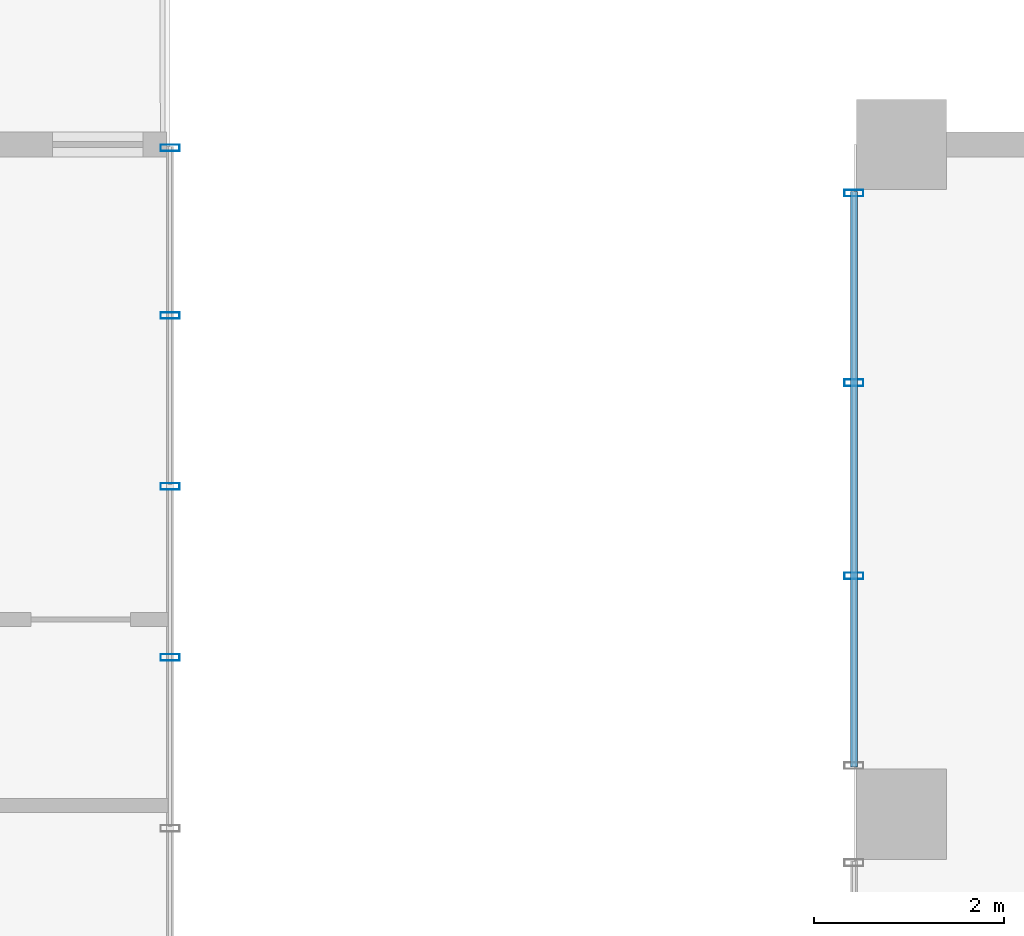
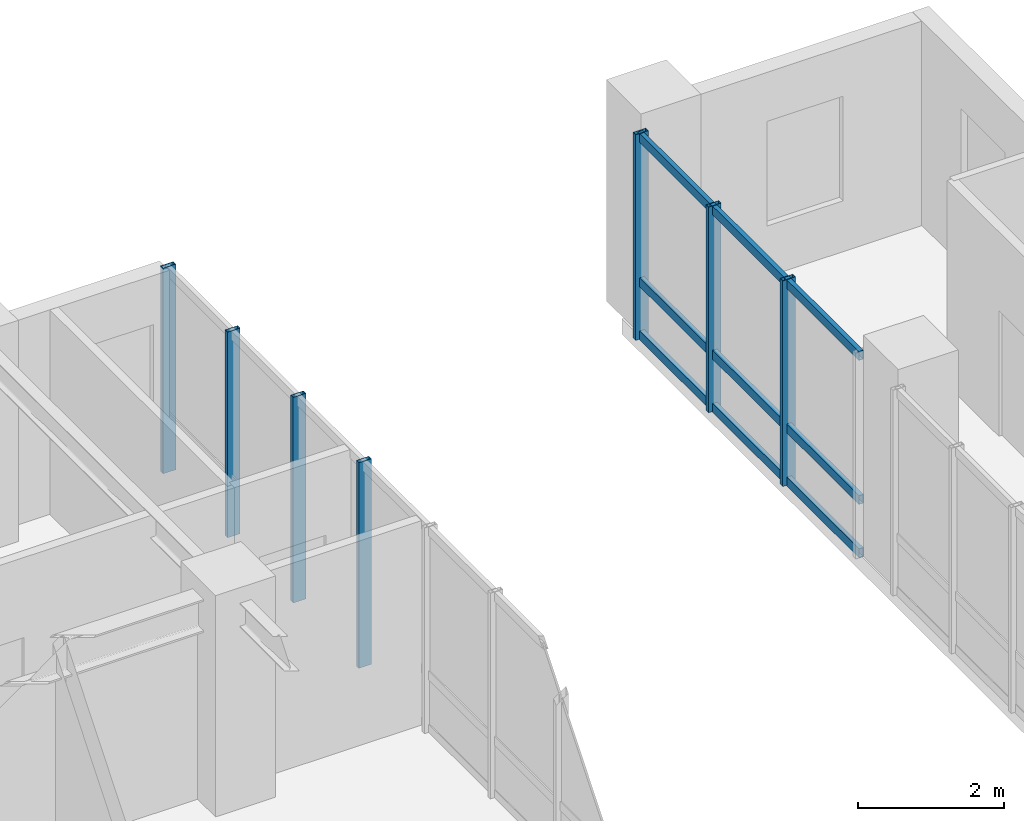
# One storey, part 14 of 24: 10 members, 2 elements without a shape of their own.
"""IFC4 building model written with IfcOpenShell, lengths in metres."""

from ifc_helpers import new_model, si_unit, direction, frame, origin, origin_2d, place, context, subcontext, project, spatial, hollow_rectangle, extrude, source, transform, mapped, material, layer, layer_set, material_profile, profile_set, type_object, element, aggregate, save


model = new_model("IFC4")

# Units and contexts
model_context = context("Model", 3, precision=1e-05, world=origin(), true_north=direction((0.0, 1.0)))
body_context = subcontext(model_context, "Body", "Model", "MODEL_VIEW")
ifc_project = project(units=[si_unit("LENGTHUNIT", "METRE"), si_unit("AREAUNIT", "SQUARE_METRE"), si_unit("VOLUMEUNIT", "CUBIC_METRE"), si_unit("PLANEANGLEUNIT", "RADIAN"), si_unit("MASSUNIT", "GRAM", prefix="KILO")], contexts=[model_context])

# Site, building, storey
site_placement = place(None, origin())
site = spatial("IfcSite", under=ifc_project, at=site_placement, CompositionType="ELEMENT")
building_placement = place(site_placement, origin())
building = spatial("IfcBuilding", under=site, at=building_placement, Name="Kaliganga Portal Commons", CompositionType="ELEMENT")
storey_placement = place(building_placement, frame((0.0, 0.0, 242.5)))
storey = spatial("IfcBuildingStorey", under=building, at=storey_placement, Name="L62", CompositionType="ELEMENT", Elevation=242.5)

# Curtain wall, members
ifc_material_1 = material(Name="Anodized Aluminium and Laminated Low-E Glass", Category="aluminium")
ifc_layer = layer(ifc_material_1, 0.239990234375)
ifc_layer_set = layer_set([ifc_layer], Name="Anodized Aluminium and Laminated Low-E Glass")
curtain_wall_type = type_object("IfcCurtainWallType", Name="CW-SYS-04", PredefinedType="NOTDEFINED", material=ifc_layer_set)
curtain_wall_1_placement = place(storey_placement, origin())
curtain_wall_1 = element("IfcCurtainWall", 1, at=curtain_wall_1_placement, inside=storey, type_object=curtain_wall_type, Name="CW 04 L62 P1E01S1", PredefinedType="NOTDEFINED")
ifc_material_2 = material(Name="Dark Bronze Anodized Aluminium", Category="aluminium")
ifc_material_profile_1 = material_profile(ifc_material_2, hollow_rectangle(XDim=0.070068359375, YDim=0.199951171875, WallThickness=0.00390625, at=origin_2d()), Name="ALU MULL 70x200x4")
ifc_profile_set_1 = profile_set([ifc_material_profile_1], Name="Dark Bronze Anodized Aluminium")
member_type_1 = type_object("IfcMemberType", Name="CW-MUL-220", PredefinedType="MULLION", material=ifc_profile_set_1)
shared_shape_1 = source(origin(), body_context, "Body", "SweptSolid", [
    extrude(hollow_rectangle(XDim=0.070068359375, YDim=0.199951171875, WallThickness=0.00390625, at=origin_2d()), origin(), (0.0, 0.0, 1.0), 3.43994140625),
])
member_1_placement = place(storey_placement, frame((39.10009765625, 37.800048828125, 0.0), z_axis=(0.0, 0.0, 1.0), x_axis=(0.0, 1.0, 0.0)))
member_1 = element("IfcMember", 2, at=member_1_placement, type_object=member_type_1, Name="CW:04:L62:P1E01S1 Mullion 09", PredefinedType="MULLION", context=body_context, shape_type="MappedRepresentation", body=[
    mapped(shared_shape_1, transform((0.0, 0.0, 0.0), x_axis=(1.0, 0.0, 0.0), y_axis=(0.0, 1.0, 0.0), z_axis=(0.0, 0.0, 1.0), scale=1.0)),
])
member_2_placement = place(storey_placement, frame((39.10009765625, 39.60009765625, 0.0), z_axis=(0.0, 0.0, 1.0), x_axis=(0.0, 1.0, 0.0)))
member_2 = element("IfcMember", 3, at=member_2_placement, type_object=member_type_1, Name="CW:04:L62:P1E01S1 Mullion 10", PredefinedType="MULLION", context=body_context, shape_type="MappedRepresentation", body=[
    mapped(shared_shape_1, transform((0.0, 0.0, 0.0), x_axis=(1.0, 0.0, 0.0), y_axis=(0.0, 1.0, 0.0), z_axis=(0.0, 0.0, 1.0), scale=1.0)),
])
member_3_placement = place(storey_placement, frame((39.10009765625, 41.39990234375, 0.0), z_axis=(0.0, 0.0, 1.0), x_axis=(0.0, 1.0, 0.0)))
member_3 = element("IfcMember", 4, at=member_3_placement, type_object=member_type_1, Name="CW:04:L62:P1E01S1 Mullion 11", PredefinedType="MULLION", context=body_context, shape_type="MappedRepresentation", body=[
    mapped(shared_shape_1, transform((0.0, 0.0, 0.0), x_axis=(1.0, 0.0, 0.0), y_axis=(0.0, 1.0, 0.0), z_axis=(0.0, 0.0, 1.0), scale=1.0)),
])
member_4_placement = place(storey_placement, frame((39.10009765625, 43.1650390625, 0.0), z_axis=(0.0, 0.0, 1.0), x_axis=(0.0, 1.0, 0.0)))
member_4 = element("IfcMember", 5, at=member_4_placement, type_object=member_type_1, Name="CW:04:L62:P1E01S1 Mullion 12", PredefinedType="MULLION", context=body_context, shape_type="MappedRepresentation", body=[
    mapped(shared_shape_1, transform((0.0, 0.0, 0.0), x_axis=(1.0, 0.0, 0.0), y_axis=(0.0, 1.0, 0.0), z_axis=(0.0, 0.0, 1.0), scale=1.0)),
])
aggregate(curtain_wall_1, [member_1, member_2, member_3, member_4])

curtain_wall_2_placement = place(storey_placement, origin())
curtain_wall_2 = element("IfcCurtainWall", 6, at=curtain_wall_2_placement, inside=storey, type_object=curtain_wall_type, Name="CW 04 L62 P2E07S1", PredefinedType="NOTDEFINED")
member_5_placement = place(storey_placement, frame((46.300048828125, 42.68896484375, 0.0), z_axis=(0.0, 0.0, 1.0), x_axis=(0.0, -1.0, 0.0)))
member_5 = element("IfcMember", 7, at=member_5_placement, type_object=member_type_1, Name="CW:04:L62:P2E07S1 Mullion 00", PredefinedType="MULLION", context=body_context, shape_type="MappedRepresentation", body=[
    mapped(shared_shape_1, transform((0.0, 0.0, 0.0), x_axis=(1.0, 0.0, 0.0), y_axis=(0.0, 1.0, 0.0), z_axis=(0.0, 0.0, 1.0), scale=1.0)),
])
member_6_placement = place(storey_placement, frame((46.300048828125, 40.69140625, 0.0), z_axis=(0.0, 0.0, 1.0), x_axis=(0.0, -1.0, 0.0)))
member_6 = element("IfcMember", 8, at=member_6_placement, type_object=member_type_1, Name="CW:04:L62:P2E07S1 Mullion 01", PredefinedType="MULLION", context=body_context, shape_type="MappedRepresentation", body=[
    mapped(shared_shape_1, transform((0.0, 0.0, 0.0), x_axis=(1.0, 0.0, 0.0), y_axis=(0.0, 1.0, 0.0), z_axis=(0.0, 0.0, 1.0), scale=1.0)),
])
member_7_placement = place(storey_placement, frame((46.300048828125, 38.65869140625, 0.0), z_axis=(0.0, 0.0, 1.0), x_axis=(0.0, -1.0, 0.0)))
member_7 = element("IfcMember", 9, at=member_7_placement, type_object=member_type_1, Name="CW:04:L62:P2E07S1 Mullion 02", PredefinedType="MULLION", context=body_context, shape_type="MappedRepresentation", body=[
    mapped(shared_shape_1, transform((0.0, 0.0, 0.0), x_axis=(1.0, 0.0, 0.0), y_axis=(0.0, 1.0, 0.0), z_axis=(0.0, 0.0, 1.0), scale=1.0)),
])
ifc_material_profile_2 = material_profile(ifc_material_2, hollow_rectangle(XDim=0.070068359375, YDim=0.14990234375, WallThickness=0.00341796875, at=origin_2d()), Name="ALU TRAN 70x150x3.5")
ifc_profile_set_2 = profile_set([ifc_material_profile_2], Name="Dark Bronze Anodized Aluminium")
member_type_2 = type_object("IfcMemberType", Name="CW-TRN-150", PredefinedType="USERDEFINED", material=ifc_profile_set_2)
shared_shape_2 = source(origin(), body_context, "Body", "SweptSolid", [
    extrude(hollow_rectangle(XDim=0.070068359375, YDim=0.14990234375, WallThickness=0.00341796875, at=origin_2d()), origin(), (0.0, 0.0, 1.0), 6.05810546875),
])
member_8_placement = place(storey_placement, frame((46.300048828125, 42.7041015625, 0.06005859375), z_axis=(0.0, -1.0, 0.0), x_axis=(1.0, 0.0, 0.0)))
member_8 = element("IfcMember", 10, at=member_8_placement, type_object=member_type_2, Name="CW:04:L62:P2E07S1 Transom 1", ObjectType="TRANSOM", PredefinedType="USERDEFINED", context=body_context, shape_type="MappedRepresentation", body=[
    mapped(shared_shape_2, transform((0.0, 0.0, 0.0), x_axis=(1.0, 0.0, 0.0), y_axis=(0.0, 1.0, 0.0), z_axis=(0.0, 0.0, 1.0), scale=1.0)),
])
member_9_placement = place(storey_placement, frame((46.300048828125, 42.7041015625, 0.949951171875), z_axis=(0.0, -1.0, 0.0), x_axis=(1.0, 0.0, 0.0)))
member_9 = element("IfcMember", 11, at=member_9_placement, type_object=member_type_2, Name="CW:04:L62:P2E07S1 Transom 2", ObjectType="TRANSOM", PredefinedType="USERDEFINED", context=body_context, shape_type="MappedRepresentation", body=[
    mapped(shared_shape_2, transform((0.0, 0.0, 0.0), x_axis=(1.0, 0.0, 0.0), y_axis=(0.0, 1.0, 0.0), z_axis=(0.0, 0.0, 1.0), scale=1.0)),
])
member_10_placement = place(storey_placement, frame((46.300048828125, 42.7041015625, 3.360107421875), z_axis=(0.0, -1.0, 0.0), x_axis=(1.0, 0.0, 0.0)))
member_10 = element("IfcMember", 12, at=member_10_placement, type_object=member_type_2, Name="CW:04:L62:P2E07S1 Transom 3", ObjectType="TRANSOM", PredefinedType="USERDEFINED", context=body_context, shape_type="MappedRepresentation", body=[
    mapped(shared_shape_2, transform((0.0, 0.0, 0.0), x_axis=(1.0, 0.0, 0.0), y_axis=(0.0, 1.0, 0.0), z_axis=(0.0, 0.0, 1.0), scale=1.0)),
])
aggregate(curtain_wall_2, [member_5, member_6, member_7, member_8, member_9, member_10])

save(model, "model.ifc")
